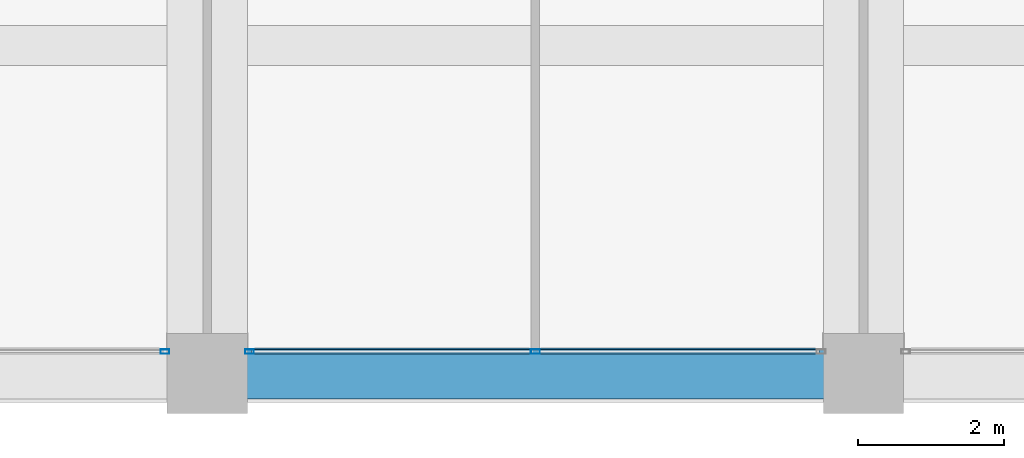
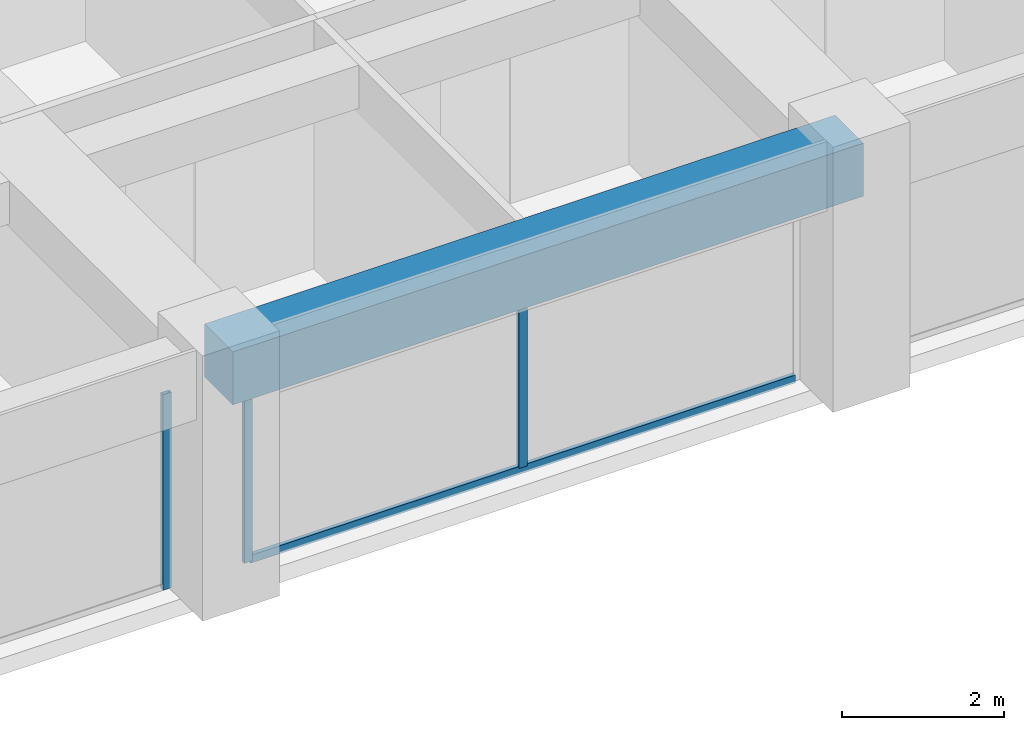
# One storey, part 9 of 44: 4 members, 1 beam, 2 elements without a shape of their own.
"""IFC4 building model written with IfcOpenShell, lengths in metres."""

from ifc_helpers import new_model, si_unit, direction, frame, origin, origin_2d, place, context, subcontext, project, spatial, rectangle, hollow_rectangle, extrude, material, material_profile, profile_set, type_object, element, aggregate, save


model = new_model("IFC4")

# Units and contexts
model_context = context("Model", 3, precision=1e-05, world=origin(), true_north=direction((0.0, 1.0)))
body_context = subcontext(model_context, "Body", "Model", "MODEL_VIEW")
ifc_project = project(units=[si_unit("LENGTHUNIT", "METRE"), si_unit("AREAUNIT", "SQUARE_METRE"), si_unit("VOLUMEUNIT", "CUBIC_METRE"), si_unit("PLANEANGLEUNIT", "RADIAN"), si_unit("MASSUNIT", "GRAM", prefix="KILO")], contexts=[model_context])

# Site, building, storey
site_placement = place(None, origin())
site = spatial("IfcSite", under=ifc_project, at=site_placement, CompositionType="ELEMENT")
building_placement = place(site_placement, origin())
building = spatial("IfcBuilding", under=site, at=building_placement, Name="Zorevar Civic Tower", CompositionType="ELEMENT")
storey_placement = place(building_placement, frame((0.0, 0.0, 295.39990234375)))
storey = spatial("IfcBuildingStorey", under=building, at=storey_placement, Name="L72", CompositionType="ELEMENT", Elevation=295.39990234375)

# Curtain wall, member
ifc_material_1 = material(Name="Dark grey solar-control glass in black aluminium frame", Category="aluminium")
curtain_wall_type = type_object("IfcCurtainWallType", Name="Curtain wall CW5 top zone", PredefinedType="NOTDEFINED", material=ifc_material_1)
curtain_wall_1_placement = place(storey_placement, origin())
curtain_wall_1 = element("IfcCurtainWall", 1, at=curtain_wall_1_placement, inside=storey, type_object=curtain_wall_type, Name="CW5 L72", PredefinedType="NOTDEFINED")
ifc_material_2 = material(Name="Aluminium, black anodised", Category="aluminium")
ifc_material_profile_1 = material_profile(ifc_material_2, hollow_rectangle(XDim=0.06005859375, YDim=0.1201171875, WallThickness=0.0029296875, at=origin_2d()), Name="AL 120x60x3")
ifc_profile_set_1 = profile_set([ifc_material_profile_1], Name="Aluminium, black anodised")
member_type_1 = type_object("IfcMemberType", Name="CW5 mullion AL 120x60x3", PredefinedType="MULLION", material=ifc_profile_set_1)
member_1_placement = place(storey_placement, frame((26.419921875, 0.300048828125, 0.0), z_axis=(0.0, 0.0, 1.0), x_axis=(0.0, 1.0, 0.0)))
member_1 = element("IfcMember", 2, at=member_1_placement, type_object=member_type_1, Name="CW5 mullion 3", PredefinedType="MULLION", context=body_context, shape_type="SweptSolid", body=[
    extrude(hollow_rectangle(XDim=0.06005859375, YDim=0.1201171875, WallThickness=0.0029296875, at=origin_2d()), origin(), (0.0, 0.0, 1.0), 2.9501953125),
])
aggregate(curtain_wall_1, [member_1])

# Curtain wall, members
curtain_wall_2_placement = place(storey_placement, origin())
curtain_wall_2 = element("IfcCurtainWall", 3, at=curtain_wall_2_placement, inside=storey, type_object=curtain_wall_type, Name="CW5 L72", PredefinedType="NOTDEFINED")
member_2_placement = place(storey_placement, frame((27.580078125, 0.300048828125, 0.0), z_axis=(0.0, 0.0, 1.0), x_axis=(0.0, 1.0, 0.0)))
member_2 = element("IfcMember", 4, at=member_2_placement, type_object=member_type_1, Name="CW5 mullion 1", PredefinedType="MULLION", context=body_context, shape_type="SweptSolid", body=[
    extrude(hollow_rectangle(XDim=0.06005859375, YDim=0.1201171875, WallThickness=0.0029296875, at=origin_2d()), origin(), (0.0, 0.0, 1.0), 2.9501953125),
])
member_3_placement = place(storey_placement, frame((31.5, 0.300048828125, 0.06005859375), z_axis=(0.0, 0.0, 1.0), x_axis=(0.0, 1.0, 0.0)))
member_3 = element("IfcMember", 5, at=member_3_placement, type_object=member_type_1, Name="CW5 mullion 2", PredefinedType="MULLION", context=body_context, shape_type="SweptSolid", body=[
    extrude(hollow_rectangle(XDim=0.06005859375, YDim=0.1201171875, WallThickness=0.0029296875, at=origin_2d()), origin(), (0.0, 0.0, 1.0), 2.89013671875),
])
ifc_material_3 = material(Name="Aluminium, black anodised", Category="aluminium")
ifc_material_profile_2 = material_profile(ifc_material_3, hollow_rectangle(XDim=0.06005859375, YDim=0.1201171875, WallThickness=0.0029296875, at=origin_2d()), Name="AL 120x60x3")
ifc_profile_set_2 = profile_set([ifc_material_profile_2], Name="Aluminium, black anodised")
member_type_2 = type_object("IfcMemberType", Name="CW5 transom AL 120x60x3", PredefinedType="USERDEFINED", material=ifc_profile_set_2)
member_4_placement = place(storey_placement, frame((27.610107421875, 0.300048828125, 0.030029296875), z_axis=(1.0, 0.0, 0.0), x_axis=(0.0, 1.0, 0.0)))
member_4 = element("IfcMember", 6, at=member_4_placement, type_object=member_type_2, Name="CW5 sill transom", ObjectType="TRANSOM", PredefinedType="USERDEFINED", context=body_context, shape_type="SweptSolid", body=[
    extrude(hollow_rectangle(XDim=0.06005859375, YDim=0.1201171875, WallThickness=0.0029296875, at=origin_2d()), origin(), (0.0, 0.0, 1.0), 7.77978515625),
])
aggregate(curtain_wall_2, [member_2, member_3, member_4])

# Beam
ifc_material_4 = material(Name="Concrete C50/60", Category="concrete")
ifc_material_profile_3 = material_profile(ifc_material_4, rectangle(XDim=0.699951171875, YDim=0.800048828125, at=origin_2d()), Name="RC 700x800")
ifc_profile_set_3 = profile_set([ifc_material_profile_3], Name="Concrete C50/60")
beam_type = type_object("IfcBeamType", Name="Edge beam RC 700x800", PredefinedType="SPANDREL", material=ifc_profile_set_3)
beam_placement = place(storey_placement, frame((27.0, 0.0, 3.35009765625), z_axis=(1.0, 0.0, 0.0), x_axis=(0.0, 1.0, 0.0)))
element("IfcBeam", 7, at=beam_placement, inside=storey, type_object=beam_type, Name="Edge beam L73", PredefinedType="SPANDREL", context=body_context, shape_type="SweptSolid", body=[
    extrude(rectangle(XDim=0.699951171875, YDim=0.800048828125, at=origin_2d()), origin(), (0.0, 0.0, 1.0), 9.0),
])

save(model, "model.ifc")
